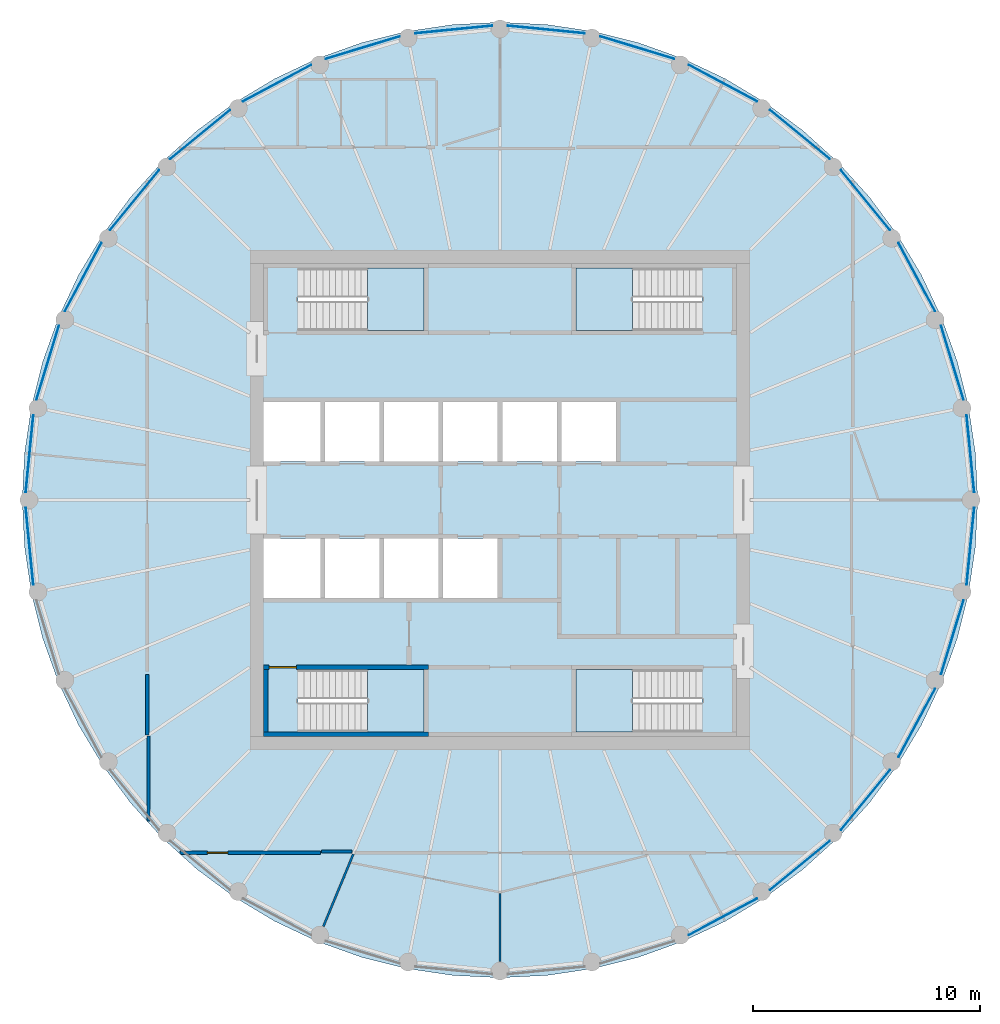
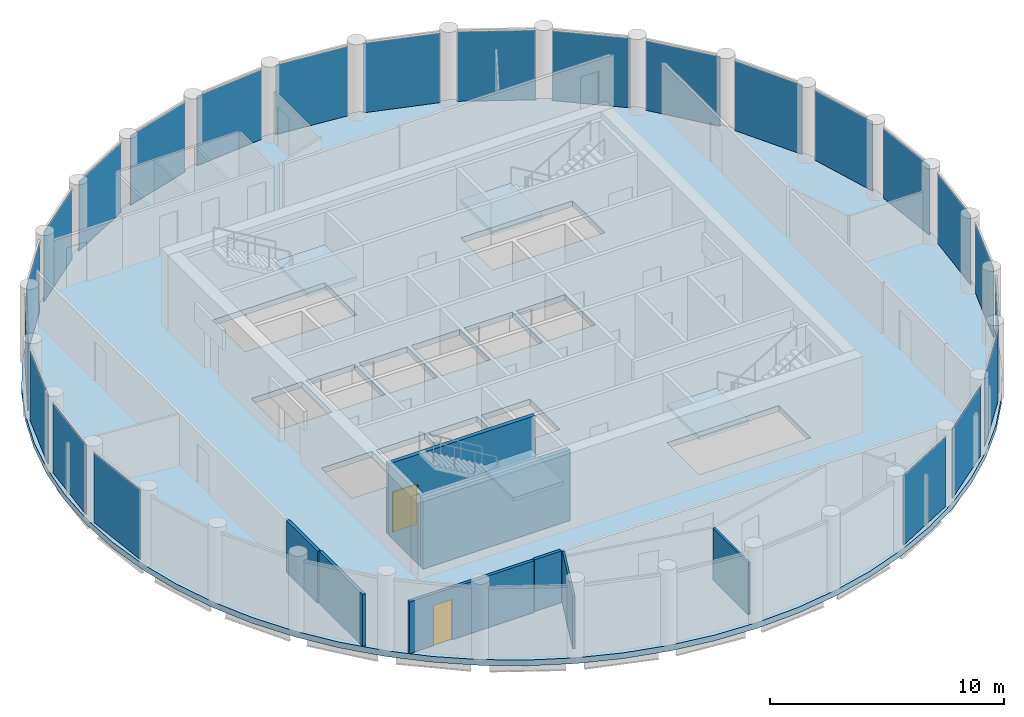
# One storey, part 3 of 7: 23 plates, 9 walls, 5 slabs, 2 doors, 2 openings, 27 elements without a shape of their own.
"""IFC4 building model written with IfcOpenShell, lengths in metres."""

import ifcopenshell
import ifcopenshell.guid

model = None  # the IFC model being written
_history = None  # IfcOwnerHistory: only IFC2X3 demands one
_inside = {}  # id of a spatial element -> (the spatial element, [elements in it])
_under = {}  # id of a project, library or spatial element -> (it, [spatial elements below it])
_declared = {}  # id of a project -> (the project, [libraries it declares])
_typed = {}  # id of a type object -> (the type object, [elements of that type])
_made_of = {}  # id of a material, layer set ... -> (it, [elements and type objects made of it])


def new_model(schema):
    """Start an empty IFC model of exactly this schema.

    Asked for "IFC4X3", IfcOpenShell would pick the latest addendum, in which some entities
    have other attributes; the version numbers below select the first issue.
    IFC2X3 requires an IfcOwnerHistory on every rooted entity: one is made here for all.
    """
    global model, _history
    if schema == "IFC4X3":
        model = ifcopenshell.file(schema_version=(4, 3, 0, 0))
    else:
        model = ifcopenshell.file(schema=schema)
    _inside.clear()
    _under.clear()
    _declared.clear()
    _typed.clear()
    _made_of.clear()
    _history = None
    if model.schema == "IFC2X3":
        org = make("IfcOrganization", Name="unknown")
        user = make(
            "IfcPersonAndOrganization",
            ThePerson=make("IfcPerson", FamilyName="unknown"),
            TheOrganization=org,
        )
        app = make(
            "IfcApplication",
            ApplicationDeveloper=org,
            Version="unknown",
            ApplicationFullName="unknown",
            ApplicationIdentifier="unknown",
        )
        _history = make(
            "IfcOwnerHistory",
            OwningUser=user,
            OwningApplication=app,
            ChangeAction="ADDED",
            CreationDate=0,
        )
    return model


def make(cls, **values):
    """One entity of the class cls with the attributes given. An attribute that is None is left unset."""
    return model.create_entity(
        cls, **{name: value for name, value in values.items() if value is not None}
    )


def rooted(cls, **values):
    """An entity with a GlobalId (a new one), such as an element, a storey or a relation."""
    return make(cls, GlobalId=ifcopenshell.guid.new(), OwnerHistory=_history, **values)


def si_unit(unit_type, name, prefix=None):
    """IfcSIUnit, for example si_unit("LENGTHUNIT", "METRE", prefix="MILLI")."""
    return make("IfcSIUnit", UnitType=unit_type, Prefix=prefix, Name=name)


def assignment(units):
    """IfcUnitAssignment: the units of a project."""
    return None if units is None else make("IfcUnitAssignment", Units=units)


def point(xyz):
    """IfcCartesianPoint."""
    return None if xyz is None else make("IfcCartesianPoint", Coordinates=xyz)


def direction(xyz):
    """IfcDirection."""
    return None if xyz is None else make("IfcDirection", DirectionRatios=xyz)


def frame(location, z_axis=None, x_axis=None):
    """IfcAxis2Placement3D, a coordinate frame: its origin and axes. An axis left out is left unset."""
    return make(
        "IfcAxis2Placement3D",
        Location=point(location),
        Axis=direction(z_axis),
        RefDirection=direction(x_axis),
    )


def frame_2d(location, x_axis=None):
    """IfcAxis2Placement2D, a coordinate frame in the plane: its origin and x axis."""
    return make(
        "IfcAxis2Placement2D", Location=point(location), RefDirection=direction(x_axis)
    )


def origin():
    """The frame at (0, 0, 0) with its axes left unset."""
    return frame((0.0, 0.0, 0.0))


def origin_2d():
    """The frame at (0, 0) in the plane with its x axis left unset."""
    return frame_2d((0.0, 0.0))


def place(relative_to, where):
    """IfcLocalPlacement: puts the frame where relative to a parent placement (None: the world)."""
    return make(
        "IfcLocalPlacement", PlacementRelTo=relative_to, RelativePlacement=where
    )


def context(
    kind, dimensions, precision=None, world=None, true_north=None, identifier=None
):
    """IfcGeometricRepresentationContext, for example the 3D "Model" context."""
    return make(
        "IfcGeometricRepresentationContext",
        ContextIdentifier=identifier,
        ContextType=kind,
        CoordinateSpaceDimension=dimensions,
        Precision=precision,
        WorldCoordinateSystem=world,
        TrueNorth=true_north,
    )


def subcontext(parent, identifier, kind, view, scale=None):
    """IfcGeometricRepresentationSubContext, for example "Body" below "Model"."""
    return make(
        "IfcGeometricRepresentationSubContext",
        ContextIdentifier=identifier,
        ContextType=kind,
        ParentContext=parent,
        TargetScale=scale,
        TargetView=view,
    )


def project(units=None, contexts=None):
    """IfcProject with its units and contexts."""
    return rooted(
        "IfcProject",
        Name="project",
        RepresentationContexts=contexts,
        UnitsInContext=assignment(units),
    )


def spatial(cls, under=None, at=None, **own):
    """A site, building, storey or space (cls), placed at a placement, below another one or the project."""
    s = rooted(cls, ObjectPlacement=at, **own)
    if under is not None:
        _under.setdefault(under.id(), (under, []))[1].append(s)
    return s


def polyline(points):
    """IfcPolyline through the points."""
    return make("IfcPolyline", Points=[point(p) for p in points])


def profile(cls, at=None, kind="AREA", **sizes):
    """A parametric profile (cls). Its sizes go by their IFC names, for example OverallWidth=200.0."""
    return make(cls, ProfileType=kind, Position=at, **sizes)


def rectangle(**sizes):
    """IfcRectangleProfileDef."""
    return profile("IfcRectangleProfileDef", **sizes)


def outline(outer, holes=None, kind="AREA"):
    """IfcArbitraryClosedProfileDef: a profile drawn as a closed curve; with holes, ...WithVoids."""
    if holes is None:
        return make("IfcArbitraryClosedProfileDef", ProfileType=kind, OuterCurve=outer)
    return make(
        "IfcArbitraryProfileDefWithVoids",
        ProfileType=kind,
        OuterCurve=outer,
        InnerCurves=holes,
    )


def extrude(swept, where, along, depth):
    """IfcExtrudedAreaSolid: the profile swept, set in the frame where, extruded along a direction by depth."""
    return make(
        "IfcExtrudedAreaSolid",
        SweptArea=swept,
        Position=where,
        ExtrudedDirection=direction(along),
        Depth=depth,
    )


def shape(context_of_items, identifier, shape_type, items):
    """IfcShapeRepresentation: the items that make up one representation, for example the "Body"."""
    return make(
        "IfcShapeRepresentation",
        ContextOfItems=context_of_items,
        RepresentationIdentifier=identifier,
        RepresentationType=shape_type,
        Items=items,
    )


def material(Name=None, Category=None):
    """IfcMaterial."""
    return make("IfcMaterial", Name=Name, Category=Category)


def layer(
    of_material, thickness, ventilated=None, Name=None, Category=None, Priority=None
):
    """IfcMaterialLayer: one layer of a wall or slab, of a material (None: an air gap)."""
    return make(
        "IfcMaterialLayer",
        Material=of_material,
        LayerThickness=thickness,
        IsVentilated=ventilated,
        Name=Name,
        Category=Category,
        Priority=Priority,
    )


def layer_set(layers, Name=None):
    """IfcMaterialLayerSet."""
    return make("IfcMaterialLayerSet", MaterialLayers=layers, LayerSetName=Name)


def made_of(thing, what):
    """Note that an element or type object is made of a material, layer set ...; save() writes the relation."""
    if what is not None:
        _made_of.setdefault(what.id(), (what, []))[1].append(thing)
    return thing


def type_object(cls, material=None, **own):
    """A type object (cls), such as IfcWallType, which elements share."""
    return made_of(rooted(cls, **own), material)


def element(
    cls,
    number,
    at=None,
    inside=None,
    cuts=None,
    type_object=None,
    material=None,
    context=None,
    identifier="Body",
    shape_type=None,
    held_by="IfcProductDefinitionShape",
    body=None,
    shapes=None,
    **own,
):
    """One element of the class cls, such as IfcWall. Its Tag is "e" and its number.

    at: its placement. inside: the storey or other place that contains it. cuts: it is an
    opening in that element (IfcRelVoidsElement). A single representation is given by context,
    identifier, shape_type and body (its items); several are given by shapes. held_by: the class
    of the entity that holds the representations. save() writes the other relations.
    """
    e = rooted(cls, Tag="e%d" % number, ObjectPlacement=at, **own)
    if body is not None:
        shapes = [shape(context, identifier, shape_type, body)]
    if shapes is not None:
        e.Representation = make(held_by, Representations=shapes)
    if inside is not None:
        _inside.setdefault(inside.id(), (inside, []))[1].append(e)
    if cuts is not None:
        rooted(
            "IfcRelVoidsElement", RelatingBuildingElement=cuts, RelatedOpeningElement=e
        )
    if type_object is not None:
        _typed.setdefault(type_object.id(), (type_object, []))[1].append(e)
    return made_of(e, material)


def fill(opening, filler):
    """IfcRelFillsElement: the door or window that sits in an opening."""
    return rooted(
        "IfcRelFillsElement",
        RelatingOpeningElement=opening,
        RelatedBuildingElement=filler,
    )


def aggregate(whole, parts):
    """IfcRelAggregates: a whole, such as a stair, and the parts it consists of."""
    return rooted("IfcRelAggregates", RelatingObject=whole, RelatedObjects=parts)


def save(model, path):
    """Write the relations noted so far, then the file.

    IfcRelAggregates (storeys below a building ...), IfcRelContainedInSpatialStructure (elements
    in a storey), IfcRelDefinesByType, IfcRelAssociatesMaterial and IfcRelDeclares: one each for
    every whole, place, type object, material and project.
    """
    for whole, parts in _under.values():
        aggregate(whole, parts)
    for where, things in _inside.values():
        rooted(
            "IfcRelContainedInSpatialStructure",
            RelatedElements=things,
            RelatingStructure=where,
        )
    for kind, things in _typed.values():
        rooted("IfcRelDefinesByType", RelatedObjects=things, RelatingType=kind)
    for what, things in _made_of.values():
        rooted("IfcRelAssociatesMaterial", RelatedObjects=things, RelatingMaterial=what)
    for by, libraries in _declared.values():
        rooted("IfcRelDeclares", RelatingContext=by, RelatedDefinitions=libraries)
    model.write(path)


model = new_model("IFC4")

# Units and contexts
model_context = context("Model", 3, precision=1e-05, world=origin(), true_north=direction((0.0, 1.0)))
body_context = subcontext(model_context, "Body", "Model", "MODEL_VIEW")
ifc_project = project(units=[si_unit("LENGTHUNIT", "METRE"), si_unit("AREAUNIT", "SQUARE_METRE"), si_unit("VOLUMEUNIT", "CUBIC_METRE"), si_unit("PLANEANGLEUNIT", "RADIAN"), si_unit("MASSUNIT", "GRAM", prefix="KILO")], contexts=[model_context])

# Site, building, storey
site_placement = place(None, origin())
site = spatial("IfcSite", under=ifc_project, at=site_placement, CompositionType="ELEMENT")
building_placement = place(site_placement, origin())
building = spatial("IfcBuilding", under=site, at=building_placement, Name="Corvane Civic Tower", CompositionType="ELEMENT")
storey_placement = place(building_placement, frame((0.0, 0.0, 364.5)))
storey = spatial("IfcBuildingStorey", under=building, at=storey_placement, Name="L87", CompositionType="ELEMENT", Elevation=364.5)

# Slab
ifc_material_1 = material(Name="Concrete C40/50", Category="concrete")
ifc_layer_1 = layer(ifc_material_1, 0.300048828125)
ifc_layer_set_1 = layer_set([ifc_layer_1], Name="Concrete C40/50")
slab_type_1 = type_object("IfcSlabType", Name="FLOOR SLAB 300", PredefinedType="FLOOR", material=ifc_layer_set_1)
slab_1_placement = place(storey_placement, frame((0.0, 0.0, -0.300048828125)))
element("IfcSlab", 1, at=slab_1_placement, inside=storey, type_object=slab_type_1, Name="SLB-L87", PredefinedType="FLOOR", context=body_context, shape_type="SweptSolid", body=[
    extrude(outline(polyline([(0.0, 21.0), (-2.058349609375, 20.89892578125), (-4.096923828125, 20.596435546875), (-6.095947265625, 20.095703125), (-8.036376953125, 19.4013671875), (-9.8994140625, 18.520263671875), (-11.6669921875, 17.4609375), (-13.322265625, 16.233154296875), (-14.84912109375, 14.84912109375), (-16.233154296875, 13.322265625), (-17.4609375, 11.6669921875), (-18.520263671875, 9.8994140625), (-19.4013671875, 8.036376953125), (-20.095703125, 6.095947265625), (-20.596435546875, 4.096923828125), (-20.89892578125, 2.058349609375), (-21.0, 0.0), (-20.89892578125, -2.058349609375), (-20.596435546875, -4.096923828125), (-20.095703125, -6.095947265625), (-19.4013671875, -8.036376953125), (-18.520263671875, -9.8994140625), (-17.4609375, -11.6669921875), (-16.233154296875, -13.322265625), (-14.84912109375, -14.84912109375), (-13.322265625, -16.233154296875), (-11.6669921875, -17.4609375), (-9.8994140625, -18.520263671875), (-8.036376953125, -19.4013671875), (-6.095947265625, -20.095703125), (-4.096923828125, -20.596435546875), (-2.058349609375, -20.89892578125), (0.0, -21.0), (2.058349609375, -20.89892578125), (4.096923828125, -20.596435546875), (6.095947265625, -20.095703125), (8.036376953125, -19.4013671875), (9.8994140625, -18.520263671875), (11.6669921875, -17.4609375), (13.322265625, -16.233154296875), (14.84912109375, -14.84912109375), (16.233154296875, -13.322265625), (17.4609375, -11.6669921875), (18.520263671875, -9.8994140625), (19.4013671875, -8.036376953125), (20.095703125, -6.095947265625), (20.596435546875, -4.096923828125), (20.89892578125, -2.058349609375), (21.0, 0.0), (20.89892578125, 2.058349609375), (20.596435546875, 4.096923828125), (20.095703125, 6.095947265625), (19.4013671875, 8.036376953125), (18.520263671875, 9.8994140625), (17.4609375, 11.6669921875), (16.233154296875, 13.322265625), (14.84912109375, 14.84912109375), (13.322265625, 16.233154296875), (11.6669921875, 17.4609375), (9.8994140625, 18.520263671875), (8.036376953125, 19.4013671875), (6.095947265625, 20.095703125), (4.096923828125, 20.596435546875), (2.058349609375, 20.89892578125), (0.0, 21.0)]), holes=[polyline([(-10.39990234375, 4.300048828125), (-7.89990234375, 4.300048828125), (-7.89990234375, 1.699951171875), (-10.39990234375, 1.699951171875), (-10.39990234375, 4.300048828125)]), polyline([(-7.699951171875, 4.300048828125), (-5.300048828125, 4.300048828125), (-5.300048828125, 1.699951171875), (-7.699951171875, 1.699951171875), (-7.699951171875, 4.300048828125)]), polyline([(-5.10009765625, 4.300048828125), (-2.699951171875, 4.300048828125), (-2.699951171875, 1.699951171875), (-5.10009765625, 1.699951171875), (-5.10009765625, 4.300048828125)]), polyline([(-2.5, 1.699951171875), (-2.5, 4.300048828125), (-0.10009765625, 4.300048828125), (-0.10009765625, 1.699951171875), (-2.5, 1.699951171875)]), polyline([(0.10009765625, 1.699951171875), (0.10009765625, 4.300048828125), (2.5, 4.300048828125), (2.5, 1.699951171875), (0.10009765625, 1.699951171875)]), polyline([(2.699951171875, 1.699951171875), (2.699951171875, 4.300048828125), (5.10009765625, 4.300048828125), (5.10009765625, 1.699951171875), (2.699951171875, 1.699951171875)]), polyline([(-10.39990234375, -1.699951171875), (-7.89990234375, -1.699951171875), (-7.89990234375, -4.300048828125), (-10.39990234375, -4.300048828125), (-10.39990234375, -1.699951171875)]), polyline([(-7.699951171875, -4.300048828125), (-7.699951171875, -1.699951171875), (-5.300048828125, -1.699951171875), (-5.300048828125, -4.300048828125), (-7.699951171875, -4.300048828125)]), polyline([(-5.10009765625, -4.300048828125), (-5.10009765625, -1.699951171875), (-2.699951171875, -1.699951171875), (-2.699951171875, -4.300048828125), (-5.10009765625, -4.300048828125)]), polyline([(-2.5, -4.300048828125), (-2.5, -1.699951171875), (-0.10009765625, -1.699951171875), (-0.10009765625, -4.300048828125), (-2.5, -4.300048828125)]), polyline([(8.889892578125, 10.199951171875), (8.889892578125, 7.449951171875), (3.35009765625, 7.449951171875), (3.35009765625, 10.199951171875), (8.889892578125, 10.199951171875)]), polyline([(-8.889892578125, 7.449951171875), (-8.889892578125, 10.199951171875), (-3.35009765625, 10.199951171875), (-3.35009765625, 7.449951171875), (-8.889892578125, 7.449951171875)]), polyline([(8.889892578125, -7.449951171875), (8.889892578125, -10.199951171875), (3.35009765625, -10.199951171875), (3.35009765625, -7.449951171875), (8.889892578125, -7.449951171875)]), polyline([(-8.889892578125, -10.199951171875), (-8.889892578125, -7.449951171875), (-3.35009765625, -7.449951171875), (-3.35009765625, -10.199951171875), (-8.889892578125, -10.199951171875)])]), origin(), (0.0, 0.0, 1.0), 0.300048828125),
])

# Stair, slab
ifc_material_2 = material(Name="Concrete C40/50", Category="concrete")
stair_type = type_object("IfcStairType", Name="ST-STAIR-HALFTURN", PredefinedType="HALF_TURN_STAIR", material=ifc_material_2)
stair_1_placement = place(storey_placement, origin())
stair_1 = element("IfcStair", 2, at=stair_1_placement, inside=storey, type_object=stair_type, Name="L87 Exit stair ST1", PredefinedType="HALF_TURN_STAIR")
ifc_material_3 = material(Name="Concrete C40/50", Category="concrete")
ifc_layer_2 = layer(ifc_material_3, 0.199951171875)
ifc_layer_set_2 = layer_set([ifc_layer_2], Name="Concrete C40/50")
slab_type_2 = type_object("IfcSlabType", Name="ST-LANDING-RC", PredefinedType="LANDING", material=ifc_layer_set_2)
slab_2_placement = place(storey_placement, frame((0.0, 0.0, 1.800048828125)))
slab_2 = element("IfcSlab", 3, at=slab_2_placement, type_object=slab_type_2, Name="ST1 landing 1", PredefinedType="LANDING", context=body_context, shape_type="SweptSolid", body=[
    extrude(outline(polyline([(5.820068359375, 10.199951171875), (3.35009765625, 10.199951171875), (3.35009765625, 7.449951171875), (5.820068359375, 7.449951171875), (5.820068359375, 10.199951171875)])), origin(), (0.0, 0.0, 1.0), 0.199951171875),
])
aggregate(stair_1, [slab_2])

stair_2_placement = place(storey_placement, origin())
stair_2 = element("IfcStair", 4, at=stair_2_placement, inside=storey, type_object=stair_type, Name="L87 Exit stair ST2", PredefinedType="HALF_TURN_STAIR")
slab_3_placement = place(storey_placement, frame((0.0, 0.0, 1.800048828125)))
slab_3 = element("IfcSlab", 5, at=slab_3_placement, type_object=slab_type_2, Name="ST2 landing 1", PredefinedType="LANDING", context=body_context, shape_type="SweptSolid", body=[
    extrude(outline(polyline([(5.820068359375, -7.449951171875), (3.35009765625, -7.449951171875), (3.35009765625, -10.199951171875), (5.820068359375, -10.199951171875), (5.820068359375, -7.449951171875)])), origin(), (0.0, 0.0, 1.0), 0.199951171875),
])
aggregate(stair_2, [slab_3])

stair_3_placement = place(storey_placement, origin())
stair_3 = element("IfcStair", 6, at=stair_3_placement, inside=storey, type_object=stair_type, Name="L87 Exit stair ST3", PredefinedType="HALF_TURN_STAIR")
slab_4_placement = place(storey_placement, frame((0.0, 0.0, 1.800048828125)))
slab_4 = element("IfcSlab", 7, at=slab_4_placement, type_object=slab_type_2, Name="ST3 landing 1", PredefinedType="LANDING", context=body_context, shape_type="SweptSolid", body=[
    extrude(outline(polyline([(-5.820068359375, -10.199951171875), (-3.35009765625, -10.199951171875), (-3.35009765625, -7.449951171875), (-5.820068359375, -7.449951171875), (-5.820068359375, -10.199951171875)])), origin(), (0.0, 0.0, 1.0), 0.199951171875),
])
aggregate(stair_3, [slab_4])

stair_4_placement = place(storey_placement, origin())
stair_4 = element("IfcStair", 8, at=stair_4_placement, inside=storey, type_object=stair_type, Name="L87 Exit stair ST4", PredefinedType="HALF_TURN_STAIR")
slab_5_placement = place(storey_placement, frame((0.0, 0.0, 1.800048828125)))
slab_5 = element("IfcSlab", 9, at=slab_5_placement, type_object=slab_type_2, Name="ST4 landing 1", PredefinedType="LANDING", context=body_context, shape_type="SweptSolid", body=[
    extrude(outline(polyline([(-5.820068359375, 7.449951171875), (-3.35009765625, 7.449951171875), (-3.35009765625, 10.199951171875), (-5.820068359375, 10.199951171875), (-5.820068359375, 7.449951171875)])), origin(), (0.0, 0.0, 1.0), 0.199951171875),
])
aggregate(stair_4, [slab_5])

# Curtain wall, plate
ifc_material_4 = material(Name="Anodised aluminium bronze", Category="aluminium")
curtain_wall_type = type_object("IfcCurtainWallType", Name="TOWER CW-T3 STICK CURTAIN WALL", PredefinedType="NOTDEFINED", material=ifc_material_4)
curtain_wall_1_placement = place(storey_placement, origin())
curtain_wall_1 = element("IfcCurtainWall", 10, at=curtain_wall_1_placement, inside=storey, type_object=curtain_wall_type, Name="Curtain wall CW-T3 L87 bay 01", PredefinedType="NOTDEFINED")
ifc_material_5 = material(Name="Tinted glass", Category="glass")
ifc_layer_3 = layer(ifc_material_5, 0.028076171875)
ifc_layer_set_3 = layer_set([ifc_layer_3], Name="Tinted glass")
plate_type = type_object("IfcPlateType", Name="TOWER CW-T3 PANEL IGU28", PredefinedType="CURTAIN_PANEL", material=ifc_layer_set_3)
plate_1_placement = place(storey_placement, frame((2.03662109375, 20.679443359375, 0.0), z_axis=(0.0, 0.0, 1.0), x_axis=(0.995186641028, -0.097997701601, 0.0)))
plate_1 = element("IfcPlate", 11, at=plate_1_placement, type_object=plate_type, Name="Glass panel CW-T3 L87 01.1", PredefinedType="CURTAIN_PANEL", context=body_context, shape_type="SweptSolid", body=[
    extrude(rectangle(XDim=3.402587890625, YDim=0.028076171875, at=origin_2d()), origin(), (0.0, 0.0, 1.0), 3.6298828125),
])
aggregate(curtain_wall_1, [plate_1])

curtain_wall_2_placement = place(storey_placement, origin())
curtain_wall_2 = element("IfcCurtainWall", 12, at=curtain_wall_2_placement, inside=storey, type_object=curtain_wall_type, Name="Curtain wall CW-T3 L87 bay 02", PredefinedType="NOTDEFINED")
plate_2_placement = place(storey_placement, frame((6.031982421875, 19.884765625, 0.0), z_axis=(0.0, 0.0, 1.0), x_axis=(0.956938582641, -0.290290456359, 0.0)))
plate_2 = element("IfcPlate", 13, at=plate_2_placement, type_object=plate_type, Name="Glass panel CW-T3 L87 02.1", PredefinedType="CURTAIN_PANEL", context=body_context, shape_type="SweptSolid", body=[
    extrude(rectangle(XDim=3.40283203125, YDim=0.028076171875, at=origin_2d()), origin(), (0.0, 0.0, 1.0), 3.6298828125),
])
aggregate(curtain_wall_2, [plate_2])

curtain_wall_3_placement = place(storey_placement, origin())
curtain_wall_3 = element("IfcCurtainWall", 14, at=curtain_wall_3_placement, inside=storey, type_object=curtain_wall_type, Name="Curtain wall CW-T3 L87 bay 03", PredefinedType="NOTDEFINED")
plate_3_placement = place(storey_placement, frame((9.79541015625, 18.325927734375, 0.0), z_axis=(0.0, 0.0, 1.0), x_axis=(0.88192824848, -0.471383670202, 0.0)))
plate_3 = element("IfcPlate", 15, at=plate_3_placement, type_object=plate_type, Name="Glass panel CW-T3 L87 03.1", PredefinedType="CURTAIN_PANEL", context=body_context, shape_type="SweptSolid", body=[
    extrude(rectangle(XDim=3.40234375, YDim=0.028076171875, at=origin_2d()), origin(), (0.0, 0.0, 1.0), 3.6298828125),
])
aggregate(curtain_wall_3, [plate_3])

curtain_wall_4_placement = place(storey_placement, origin())
curtain_wall_4 = element("IfcCurtainWall", 16, at=curtain_wall_4_placement, inside=storey, type_object=curtain_wall_type, Name="Curtain wall CW-T3 L87 bay 04", PredefinedType="NOTDEFINED")
plate_4_placement = place(storey_placement, frame((13.182373046875, 16.062744140625, 0.0), z_axis=(0.0, 0.0, 1.0), x_axis=(0.773010369391, -0.634393386484, 0.0)))
plate_4 = element("IfcPlate", 17, at=plate_4_placement, type_object=plate_type, Name="Glass panel CW-T3 L87 04.1", PredefinedType="CURTAIN_PANEL", context=body_context, shape_type="SweptSolid", body=[
    extrude(rectangle(XDim=3.402587890625, YDim=0.028076171875, at=origin_2d()), origin(), (0.0, 0.0, 1.0), 3.6298828125),
])
aggregate(curtain_wall_4, [plate_4])

curtain_wall_5_placement = place(storey_placement, origin())
curtain_wall_5 = element("IfcCurtainWall", 18, at=curtain_wall_5_placement, inside=storey, type_object=curtain_wall_type, Name="Curtain wall CW-T3 L87 bay 05", PredefinedType="NOTDEFINED")
plate_5_placement = place(storey_placement, frame((16.062744140625, 13.182373046875, 0.0), z_axis=(0.0, 0.0, 1.0), x_axis=(0.634393386484, -0.773010369391, 0.0)))
plate_5 = element("IfcPlate", 19, at=plate_5_placement, type_object=plate_type, Name="Glass panel CW-T3 L87 05.1", PredefinedType="CURTAIN_PANEL", context=body_context, shape_type="SweptSolid", body=[
    extrude(rectangle(XDim=3.402587890625, YDim=0.028076171875, at=origin_2d()), origin(), (0.0, 0.0, 1.0), 3.6298828125),
])
aggregate(curtain_wall_5, [plate_5])

curtain_wall_6_placement = place(storey_placement, origin())
curtain_wall_6 = element("IfcCurtainWall", 20, at=curtain_wall_6_placement, inside=storey, type_object=curtain_wall_type, Name="Curtain wall CW-T3 L87 bay 06", PredefinedType="NOTDEFINED")
plate_6_placement = place(storey_placement, frame((18.325927734375, 9.79541015625, 0.0), z_axis=(0.0, 0.0, 1.0), x_axis=(0.471383670202, -0.88192824848, 0.0)))
plate_6 = element("IfcPlate", 21, at=plate_6_placement, type_object=plate_type, Name="Glass panel CW-T3 L87 06.1", PredefinedType="CURTAIN_PANEL", context=body_context, shape_type="SweptSolid", body=[
    extrude(rectangle(XDim=3.40234375, YDim=0.028076171875, at=origin_2d()), origin(), (0.0, 0.0, 1.0), 3.6298828125),
])
aggregate(curtain_wall_6, [plate_6])

curtain_wall_7_placement = place(storey_placement, origin())
curtain_wall_7 = element("IfcCurtainWall", 22, at=curtain_wall_7_placement, inside=storey, type_object=curtain_wall_type, Name="Curtain wall CW-T3 L87 bay 07", PredefinedType="NOTDEFINED")
plate_7_placement = place(storey_placement, frame((19.884765625, 6.031982421875, 0.0), z_axis=(0.0, 0.0, 1.0), x_axis=(0.290290456359, -0.956938582641, 0.0)))
plate_7 = element("IfcPlate", 23, at=plate_7_placement, type_object=plate_type, Name="Glass panel CW-T3 L87 07.1", PredefinedType="CURTAIN_PANEL", context=body_context, shape_type="SweptSolid", body=[
    extrude(rectangle(XDim=3.40283203125, YDim=0.028076171875, at=origin_2d()), origin(), (0.0, 0.0, 1.0), 3.6298828125),
])
aggregate(curtain_wall_7, [plate_7])

curtain_wall_8_placement = place(storey_placement, origin())
curtain_wall_8 = element("IfcCurtainWall", 24, at=curtain_wall_8_placement, inside=storey, type_object=curtain_wall_type, Name="Curtain wall CW-T3 L87 bay 08", PredefinedType="NOTDEFINED")
plate_8_placement = place(storey_placement, frame((20.679443359375, 2.03662109375, 0.0), z_axis=(0.0, 0.0, 1.0), x_axis=(0.097997701601, -0.995186641028, 0.0)))
plate_8 = element("IfcPlate", 25, at=plate_8_placement, type_object=plate_type, Name="Glass panel CW-T3 L87 08.1", PredefinedType="CURTAIN_PANEL", context=body_context, shape_type="SweptSolid", body=[
    extrude(rectangle(XDim=3.402587890625, YDim=0.028076171875, at=origin_2d()), origin(), (0.0, 0.0, 1.0), 3.6298828125),
])
aggregate(curtain_wall_8, [plate_8])

curtain_wall_9_placement = place(storey_placement, origin())
curtain_wall_9 = element("IfcCurtainWall", 26, at=curtain_wall_9_placement, inside=storey, type_object=curtain_wall_type, Name="Curtain wall CW-T3 L87 bay 09", PredefinedType="NOTDEFINED")
plate_9_placement = place(storey_placement, frame((20.679443359375, -2.03662109375, 0.0), z_axis=(0.0, 0.0, 1.0), x_axis=(-0.097997701601, -0.995186641028, 0.0)))
plate_9 = element("IfcPlate", 27, at=plate_9_placement, type_object=plate_type, Name="Glass panel CW-T3 L87 09.1", PredefinedType="CURTAIN_PANEL", context=body_context, shape_type="SweptSolid", body=[
    extrude(rectangle(XDim=3.402587890625, YDim=0.028076171875, at=origin_2d()), origin(), (0.0, 0.0, 1.0), 3.6298828125),
])
aggregate(curtain_wall_9, [plate_9])

curtain_wall_10_placement = place(storey_placement, origin())
curtain_wall_10 = element("IfcCurtainWall", 28, at=curtain_wall_10_placement, inside=storey, type_object=curtain_wall_type, Name="Curtain wall CW-T3 L87 bay 10", PredefinedType="NOTDEFINED")
plate_10_placement = place(storey_placement, frame((19.884765625, -6.031982421875, 0.0), z_axis=(0.0, 0.0, 1.0), x_axis=(-0.290290456359, -0.956938582641, 0.0)))
plate_10 = element("IfcPlate", 29, at=plate_10_placement, type_object=plate_type, Name="Glass panel CW-T3 L87 10.1", PredefinedType="CURTAIN_PANEL", context=body_context, shape_type="SweptSolid", body=[
    extrude(rectangle(XDim=3.40283203125, YDim=0.028076171875, at=origin_2d()), origin(), (0.0, 0.0, 1.0), 3.6298828125),
])
aggregate(curtain_wall_10, [plate_10])

curtain_wall_11_placement = place(storey_placement, origin())
curtain_wall_11 = element("IfcCurtainWall", 30, at=curtain_wall_11_placement, inside=storey, type_object=curtain_wall_type, Name="Curtain wall CW-T3 L87 bay 11", PredefinedType="NOTDEFINED")
plate_11_placement = place(storey_placement, frame((18.325927734375, -9.79541015625, 0.0), z_axis=(0.0, 0.0, 1.0), x_axis=(-0.471383670202, -0.88192824848, 0.0)))
plate_11 = element("IfcPlate", 31, at=plate_11_placement, type_object=plate_type, Name="Glass panel CW-T3 L87 11.1", PredefinedType="CURTAIN_PANEL", context=body_context, shape_type="SweptSolid", body=[
    extrude(rectangle(XDim=3.40234375, YDim=0.028076171875, at=origin_2d()), origin(), (0.0, 0.0, 1.0), 3.6298828125),
])
aggregate(curtain_wall_11, [plate_11])

curtain_wall_12_placement = place(storey_placement, origin())
curtain_wall_12 = element("IfcCurtainWall", 32, at=curtain_wall_12_placement, inside=storey, type_object=curtain_wall_type, Name="Curtain wall CW-T3 L87 bay 12", PredefinedType="NOTDEFINED")
plate_12_placement = place(storey_placement, frame((16.062744140625, -13.182373046875, 0.0), z_axis=(0.0, 0.0, 1.0), x_axis=(-0.634393386484, -0.773010369391, 0.0)))
plate_12 = element("IfcPlate", 33, at=plate_12_placement, type_object=plate_type, Name="Glass panel CW-T3 L87 12.1", PredefinedType="CURTAIN_PANEL", context=body_context, shape_type="SweptSolid", body=[
    extrude(rectangle(XDim=3.402587890625, YDim=0.028076171875, at=origin_2d()), origin(), (0.0, 0.0, 1.0), 3.6298828125),
])
aggregate(curtain_wall_12, [plate_12])

curtain_wall_13_placement = place(storey_placement, origin())
curtain_wall_13 = element("IfcCurtainWall", 34, at=curtain_wall_13_placement, inside=storey, type_object=curtain_wall_type, Name="Curtain wall CW-T3 L87 bay 13", PredefinedType="NOTDEFINED")
plate_13_placement = place(storey_placement, frame((13.182373046875, -16.062744140625, 0.0), z_axis=(0.0, 0.0, 1.0), x_axis=(-0.773010369391, -0.634393386484, 0.0)))
plate_13 = element("IfcPlate", 35, at=plate_13_placement, type_object=plate_type, Name="Glass panel CW-T3 L87 13.1", PredefinedType="CURTAIN_PANEL", context=body_context, shape_type="SweptSolid", body=[
    extrude(rectangle(XDim=3.402587890625, YDim=0.028076171875, at=origin_2d()), origin(), (0.0, 0.0, 1.0), 3.6298828125),
])
aggregate(curtain_wall_13, [plate_13])

curtain_wall_14_placement = place(storey_placement, origin())
curtain_wall_14 = element("IfcCurtainWall", 36, at=curtain_wall_14_placement, inside=storey, type_object=curtain_wall_type, Name="Curtain wall CW-T3 L87 bay 14", PredefinedType="NOTDEFINED")
plate_14_placement = place(storey_placement, frame((9.79541015625, -18.325927734375, 0.0), z_axis=(0.0, 0.0, 1.0), x_axis=(-0.88192824848, -0.471383670202, 0.0)))
plate_14 = element("IfcPlate", 37, at=plate_14_placement, type_object=plate_type, Name="Glass panel CW-T3 L87 14.1", PredefinedType="CURTAIN_PANEL", context=body_context, shape_type="SweptSolid", body=[
    extrude(rectangle(XDim=3.40234375, YDim=0.028076171875, at=origin_2d()), origin(), (0.0, 0.0, 1.0), 3.6298828125),
])
aggregate(curtain_wall_14, [plate_14])

curtain_wall_15_placement = place(storey_placement, origin())
curtain_wall_15 = element("IfcCurtainWall", 38, at=curtain_wall_15_placement, inside=storey, type_object=curtain_wall_type, Name="Curtain wall CW-T3 L87 bay 24", PredefinedType="NOTDEFINED")
plate_15_placement = place(storey_placement, frame((-20.679443359375, -2.03662109375, 0.0), z_axis=(0.0, 0.0, 1.0), x_axis=(-0.097997701601, 0.995186641028, 0.0)))
plate_15 = element("IfcPlate", 39, at=plate_15_placement, type_object=plate_type, Name="Glass panel CW-T3 L87 24.1", PredefinedType="CURTAIN_PANEL", context=body_context, shape_type="SweptSolid", body=[
    extrude(rectangle(XDim=3.402587890625, YDim=0.028076171875, at=origin_2d()), origin(), (0.0, 0.0, 1.0), 3.6298828125),
])
aggregate(curtain_wall_15, [plate_15])

curtain_wall_16_placement = place(storey_placement, origin())
curtain_wall_16 = element("IfcCurtainWall", 40, at=curtain_wall_16_placement, inside=storey, type_object=curtain_wall_type, Name="Curtain wall CW-T3 L87 bay 25", PredefinedType="NOTDEFINED")
plate_16_placement = place(storey_placement, frame((-20.679443359375, 2.03662109375, 0.0), z_axis=(0.0, 0.0, 1.0), x_axis=(0.097997701601, 0.995186641028, 0.0)))
plate_16 = element("IfcPlate", 41, at=plate_16_placement, type_object=plate_type, Name="Glass panel CW-T3 L87 25.1", PredefinedType="CURTAIN_PANEL", context=body_context, shape_type="SweptSolid", body=[
    extrude(rectangle(XDim=3.402587890625, YDim=0.028076171875, at=origin_2d()), origin(), (0.0, 0.0, 1.0), 3.6298828125),
])
aggregate(curtain_wall_16, [plate_16])

curtain_wall_17_placement = place(storey_placement, origin())
curtain_wall_17 = element("IfcCurtainWall", 42, at=curtain_wall_17_placement, inside=storey, type_object=curtain_wall_type, Name="Curtain wall CW-T3 L87 bay 26", PredefinedType="NOTDEFINED")
plate_17_placement = place(storey_placement, frame((-19.884765625, 6.031982421875, 0.0), z_axis=(0.0, 0.0, 1.0), x_axis=(0.290290456359, 0.956938582641, 0.0)))
plate_17 = element("IfcPlate", 43, at=plate_17_placement, type_object=plate_type, Name="Glass panel CW-T3 L87 26.1", PredefinedType="CURTAIN_PANEL", context=body_context, shape_type="SweptSolid", body=[
    extrude(rectangle(XDim=3.40283203125, YDim=0.028076171875, at=origin_2d()), origin(), (0.0, 0.0, 1.0), 3.6298828125),
])
aggregate(curtain_wall_17, [plate_17])

curtain_wall_18_placement = place(storey_placement, origin())
curtain_wall_18 = element("IfcCurtainWall", 44, at=curtain_wall_18_placement, inside=storey, type_object=curtain_wall_type, Name="Curtain wall CW-T3 L87 bay 27", PredefinedType="NOTDEFINED")
plate_18_placement = place(storey_placement, frame((-18.325927734375, 9.79541015625, 0.0), z_axis=(0.0, 0.0, 1.0), x_axis=(0.471383670202, 0.88192824848, 0.0)))
plate_18 = element("IfcPlate", 45, at=plate_18_placement, type_object=plate_type, Name="Glass panel CW-T3 L87 27.1", PredefinedType="CURTAIN_PANEL", context=body_context, shape_type="SweptSolid", body=[
    extrude(rectangle(XDim=3.40234375, YDim=0.028076171875, at=origin_2d()), origin(), (0.0, 0.0, 1.0), 3.6298828125),
])
aggregate(curtain_wall_18, [plate_18])

curtain_wall_19_placement = place(storey_placement, origin())
curtain_wall_19 = element("IfcCurtainWall", 46, at=curtain_wall_19_placement, inside=storey, type_object=curtain_wall_type, Name="Curtain wall CW-T3 L87 bay 28", PredefinedType="NOTDEFINED")
plate_19_placement = place(storey_placement, frame((-16.062744140625, 13.182373046875, 0.0), z_axis=(0.0, 0.0, 1.0), x_axis=(0.634393386484, 0.773010369391, 0.0)))
plate_19 = element("IfcPlate", 47, at=plate_19_placement, type_object=plate_type, Name="Glass panel CW-T3 L87 28.1", PredefinedType="CURTAIN_PANEL", context=body_context, shape_type="SweptSolid", body=[
    extrude(rectangle(XDim=3.402587890625, YDim=0.028076171875, at=origin_2d()), origin(), (0.0, 0.0, 1.0), 3.6298828125),
])
aggregate(curtain_wall_19, [plate_19])

curtain_wall_20_placement = place(storey_placement, origin())
curtain_wall_20 = element("IfcCurtainWall", 48, at=curtain_wall_20_placement, inside=storey, type_object=curtain_wall_type, Name="Curtain wall CW-T3 L87 bay 29", PredefinedType="NOTDEFINED")
plate_20_placement = place(storey_placement, frame((-13.182373046875, 16.062744140625, 0.0), z_axis=(0.0, 0.0, 1.0), x_axis=(0.773010369391, 0.634393386484, 0.0)))
plate_20 = element("IfcPlate", 49, at=plate_20_placement, type_object=plate_type, Name="Glass panel CW-T3 L87 29.1", PredefinedType="CURTAIN_PANEL", context=body_context, shape_type="SweptSolid", body=[
    extrude(rectangle(XDim=3.402587890625, YDim=0.028076171875, at=origin_2d()), origin(), (0.0, 0.0, 1.0), 3.6298828125),
])
aggregate(curtain_wall_20, [plate_20])

curtain_wall_21_placement = place(storey_placement, origin())
curtain_wall_21 = element("IfcCurtainWall", 50, at=curtain_wall_21_placement, inside=storey, type_object=curtain_wall_type, Name="Curtain wall CW-T3 L87 bay 30", PredefinedType="NOTDEFINED")
plate_21_placement = place(storey_placement, frame((-9.79541015625, 18.325927734375, 0.0), z_axis=(0.0, 0.0, 1.0), x_axis=(0.88192824848, 0.471383670202, 0.0)))
plate_21 = element("IfcPlate", 51, at=plate_21_placement, type_object=plate_type, Name="Glass panel CW-T3 L87 30.1", PredefinedType="CURTAIN_PANEL", context=body_context, shape_type="SweptSolid", body=[
    extrude(rectangle(XDim=3.40234375, YDim=0.028076171875, at=origin_2d()), origin(), (0.0, 0.0, 1.0), 3.6298828125),
])
aggregate(curtain_wall_21, [plate_21])

curtain_wall_22_placement = place(storey_placement, origin())
curtain_wall_22 = element("IfcCurtainWall", 52, at=curtain_wall_22_placement, inside=storey, type_object=curtain_wall_type, Name="Curtain wall CW-T3 L87 bay 31", PredefinedType="NOTDEFINED")
plate_22_placement = place(storey_placement, frame((-6.031982421875, 19.884765625, 0.0), z_axis=(0.0, 0.0, 1.0), x_axis=(0.956938582641, 0.290290456359, 0.0)))
plate_22 = element("IfcPlate", 53, at=plate_22_placement, type_object=plate_type, Name="Glass panel CW-T3 L87 31.1", PredefinedType="CURTAIN_PANEL", context=body_context, shape_type="SweptSolid", body=[
    extrude(rectangle(XDim=3.40283203125, YDim=0.028076171875, at=origin_2d()), origin(), (0.0, 0.0, 1.0), 3.6298828125),
])
aggregate(curtain_wall_22, [plate_22])

curtain_wall_23_placement = place(storey_placement, origin())
curtain_wall_23 = element("IfcCurtainWall", 54, at=curtain_wall_23_placement, inside=storey, type_object=curtain_wall_type, Name="Curtain wall CW-T3 L87 bay 32", PredefinedType="NOTDEFINED")
plate_23_placement = place(storey_placement, frame((-2.03662109375, 20.679443359375, 0.0), z_axis=(0.0, 0.0, 1.0), x_axis=(0.995186641028, 0.097997701601, 0.0)))
plate_23 = element("IfcPlate", 55, at=plate_23_placement, type_object=plate_type, Name="Glass panel CW-T3 L87 32.1", PredefinedType="CURTAIN_PANEL", context=body_context, shape_type="SweptSolid", body=[
    extrude(rectangle(XDim=3.402587890625, YDim=0.028076171875, at=origin_2d()), origin(), (0.0, 0.0, 1.0), 3.6298828125),
])
aggregate(curtain_wall_23, [plate_23])

# Walls
ifc_material_6 = material(Name="Plasterboard")
ifc_layer_4 = layer(ifc_material_6, 0.10009765625)
ifc_layer_set_4 = layer_set([ifc_layer_4], Name="Plasterboard")
wall_type_1 = type_object("IfcWallType", Name="Partition 100 plasterboard on studs", PredefinedType="PARTITIONING", material=ifc_layer_set_4)
wall_1_placement = place(storey_placement, frame((0.0, -20.2900390625, 0.0), z_axis=(0.0, 0.0, 1.0), x_axis=(0.0, 1.0, 0.0)))
element("IfcWall", 56, at=wall_1_placement, inside=storey, type_object=wall_type_1, Name="Partition L87.001", PredefinedType="PARTITIONING", context=body_context, shape_type="SweptSolid", body=[
    extrude(rectangle(XDim=3.003173828125, YDim=0.10009765625, at=frame_2d((1.50146484375, 0.0))), origin(), (0.0, 0.0, 1.0), 2.699951171875),
])
wall_2_placement = place(storey_placement, frame((-7.7646484375, -18.74560546875, 0.0), z_axis=(0.0, 0.0, 1.0), x_axis=(0.382663269981, 0.923887883786, 0.0)))
element("IfcWall", 57, at=wall_2_placement, inside=storey, type_object=wall_type_1, Name="Partition L87.002", PredefinedType="PARTITIONING", context=body_context, shape_type="SweptSolid", body=[
    extrude(rectangle(XDim=3.438232421875, YDim=0.10009765625, at=frame_2d((1.71923828125, 0.0))), origin(), (0.0, 0.0, 1.0), 2.699951171875),
])

# Wall, opening, door
ifc_material_7 = material(Name="Concrete C50/60", Category="concrete")
ifc_layer_5 = layer(ifc_material_7, 0.199951171875)
ifc_layer_set_5 = layer_set([ifc_layer_5], Name="Concrete C50/60")
wall_type_2 = type_object("IfcWallType", Name="ST-WALL-200", PredefinedType="SHEAR", material=ifc_layer_set_5)
wall_3_placement = place(storey_placement, frame((-10.39990234375, -7.35009765625, 0.0), z_axis=(0.0, 0.0, 1.0), x_axis=(1.0, 0.0, 0.0)))
wall_3 = element("IfcWall", 58, at=wall_3_placement, inside=storey, type_object=wall_type_2, Name="L87 stair enclosure wall", PredefinedType="SHEAR", context=body_context, shape_type="SweptSolid", body=[
    extrude(rectangle(XDim=7.25, YDim=0.199951171875, at=frame_2d((3.625, 0.0))), origin(), (0.0, 0.0, 1.0), 3.699951171875),
])
opening_1_placement = place(wall_3_placement, frame((0.25, 0.0, 0.0)))
opening_1 = element("IfcOpeningElement", 59, at=opening_1_placement, cuts=wall_3, Name="Opening L87.C11", PredefinedType="OPENING", context=body_context, shape_type="SweptSolid", body=[
    extrude(rectangle(XDim=1.199951171875, YDim=2.10009765625, at=frame_2d((0.60009765625, 1.050048828125))), frame((0.0, 0.10986328125, 0.0), z_axis=(0.0, -1.0, 0.0), x_axis=(1.0, 0.0, 0.0)), (0.0, 0.0, 1.0), 0.219970703125),
])
ifc_material_8 = material(Name="Steel fire door leaf", Category="steel")
door_type_1 = type_object("IfcDoorType", Name="ST-DOOR-1200", OperationType="SINGLE_SWING_RIGHT", PredefinedType="DOOR", material=ifc_material_8)
door_1_placement = place(opening_1_placement, origin())
door_1 = element("IfcDoor", 60, at=door_1_placement, inside=storey, type_object=door_type_1, Name="L87 stair door", OperationType="SINGLE_SWING_RIGHT", OverallHeight=2.10009765625, OverallWidth=1.199951171875, PredefinedType="DOOR", context=body_context, shape_type="SweptSolid", body=[
    extrude(rectangle(XDim=1.199951171875, YDim=2.10009765625, at=frame_2d((0.60009765625, 1.050048828125))), frame((0.0, 0.02490234375, 0.0), z_axis=(0.0, -1.0, 0.0), x_axis=(1.0, 0.0, 0.0)), (0.0, 0.0, 1.0), 0.050048828125),
])
fill(opening_1, door_1)

# Walls
wall_4_placement = place(storey_placement, origin())
element("IfcWall", 61, at=wall_4_placement, inside=storey, type_object=wall_type_2, Name="L87 stair enclosure wall", PredefinedType="SHEAR", context=body_context, shape_type="SweptSolid", body=[
    extrude(outline(polyline([(-3.14990234375, -10.199951171875), (-3.14990234375, -10.39990234375), (-10.39990234375, -10.39990234375), (-10.39990234375, -10.199951171875), (-3.14990234375, -10.199951171875)])), origin(), (0.0, 0.0, 1.0), 3.699951171875),
])
wall_5_placement = place(storey_placement, origin())
element("IfcWall", 62, at=wall_5_placement, inside=storey, type_object=wall_type_2, Name="L87 stair enclosure wall", PredefinedType="SHEAR", context=body_context, shape_type="SweptSolid", body=[
    extrude(outline(polyline([(-10.199951171875, -7.449951171875), (-10.199951171875, -10.199951171875), (-10.39990234375, -10.199951171875), (-10.39990234375, -7.449951171875), (-10.199951171875, -7.449951171875)])), origin(), (0.0, 0.0, 1.0), 3.699951171875),
])

# Wall, opening, door
ifc_material_9 = material(Name="Plasterboard")
ifc_layer_6 = layer(ifc_material_9, 0.14990234375)
ifc_layer_set_6 = layer_set([ifc_layer_6], Name="Plasterboard")
wall_type_3 = type_object("IfcWallType", Name="Tenancy wall 150 EI 60", PredefinedType="PARTITIONING", material=ifc_layer_set_6)
wall_6_placement = place(storey_placement, frame((-14.05712890625, -15.5, 0.0), z_axis=(0.0, 0.0, 1.0), x_axis=(1.0, 0.0, 0.0)))
wall_6 = element("IfcWall", 63, at=wall_6_placement, inside=storey, type_object=wall_type_3, Name="Partition L87.006", PredefinedType="PARTITIONING", context=body_context, shape_type="SweptSolid", body=[
    extrude(rectangle(XDim=6.15625, YDim=0.14990234375, at=frame_2d((3.078125, 0.0))), origin(), (0.0, 0.0, 1.0), 2.699951171875),
])
opening_2_placement = place(wall_6_placement, frame((1.194580078125, 0.0, 0.0)))
opening_2 = element("IfcOpeningElement", 64, at=opening_2_placement, cuts=wall_6, Name="Opening L87.001", PredefinedType="OPENING", context=body_context, shape_type="SweptSolid", body=[
    extrude(rectangle(XDim=0.89990234375, YDim=2.10009765625, at=frame_2d((0.449951171875, 1.050048828125))), frame((0.0, 0.0849609375, 0.0), z_axis=(0.0, -1.0, 0.0), x_axis=(1.0, 0.0, 0.0)), (0.0, 0.0, 1.0), 0.169921875),
])
ifc_material_10 = material(Name="Steel and timber", Category="steel")
door_type_2 = type_object("IfcDoorType", Name="Fire door FD30S 900", OperationType="NOTDEFINED", PredefinedType="DOOR", material=ifc_material_10)
door_2_placement = place(opening_2_placement, frame((0.89990234375, 0.0, 0.0), z_axis=(0.0, 0.0, 1.0), x_axis=(-1.0, 0.0, 0.0)))
door_2 = element("IfcDoor", 65, at=door_2_placement, inside=storey, type_object=door_type_2, Name="Door L87.001", OperationType="SINGLE_SWING_RIGHT", OverallHeight=2.10009765625, OverallWidth=0.89990234375, PredefinedType="DOOR", context=body_context, shape_type="SweptSolid", body=[
    extrude(rectangle(XDim=0.89990234375, YDim=2.10009765625, at=frame_2d((0.449951171875, 1.050048828125))), frame((0.0, 0.02490234375, 0.0), z_axis=(0.0, -1.0, 0.0), x_axis=(1.0, 0.0, 0.0)), (0.0, 0.0, 1.0), 0.050048828125),
])
fill(opening_2, door_2)

# Walls
wall_7_placement = place(storey_placement, frame((-7.850830078125, -15.449951171875, 0.0), z_axis=(0.0, 0.0, 1.0), x_axis=(1.0, 0.0, 0.0)))
element("IfcWall", 66, at=wall_7_placement, inside=storey, type_object=wall_type_3, Name="Partition L87.009", PredefinedType="PARTITIONING", context=body_context, shape_type="SweptSolid", body=[
    extrude(rectangle(XDim=1.339111328125, YDim=0.14990234375, at=frame_2d((0.66943359375, 0.0))), origin(), (0.0, 0.0, 1.0), 2.699951171875),
])
wall_8_placement = place(storey_placement, frame((-15.449951171875, -14.1123046875, 0.0), z_axis=(0.0, 0.0, 1.0), x_axis=(0.0, 1.0, 0.0)))
element("IfcWall", 67, at=wall_8_placement, inside=storey, type_object=wall_type_3, Name="Partition L87.010", PredefinedType="PARTITIONING", context=body_context, shape_type="SweptSolid", body=[
    extrude(rectangle(XDim=3.7314453125, YDim=0.14990234375, at=frame_2d((1.86572265625, 0.0))), origin(), (0.0, 0.0, 1.0), 2.699951171875),
])
wall_9_placement = place(storey_placement, frame((-15.5, -10.322509765625, 0.0), z_axis=(0.0, 0.0, 1.0), x_axis=(0.0, 1.0, 0.0)))
element("IfcWall", 68, at=wall_9_placement, inside=storey, type_object=wall_type_3, Name="Partition L87.013", PredefinedType="PARTITIONING", context=body_context, shape_type="SweptSolid", body=[
    extrude(rectangle(XDim=2.6591796875, YDim=0.14990234375, at=frame_2d((1.32958984375, 0.0))), origin(), (0.0, 0.0, 1.0), 2.699951171875),
])

save(model, "model.ifc")
